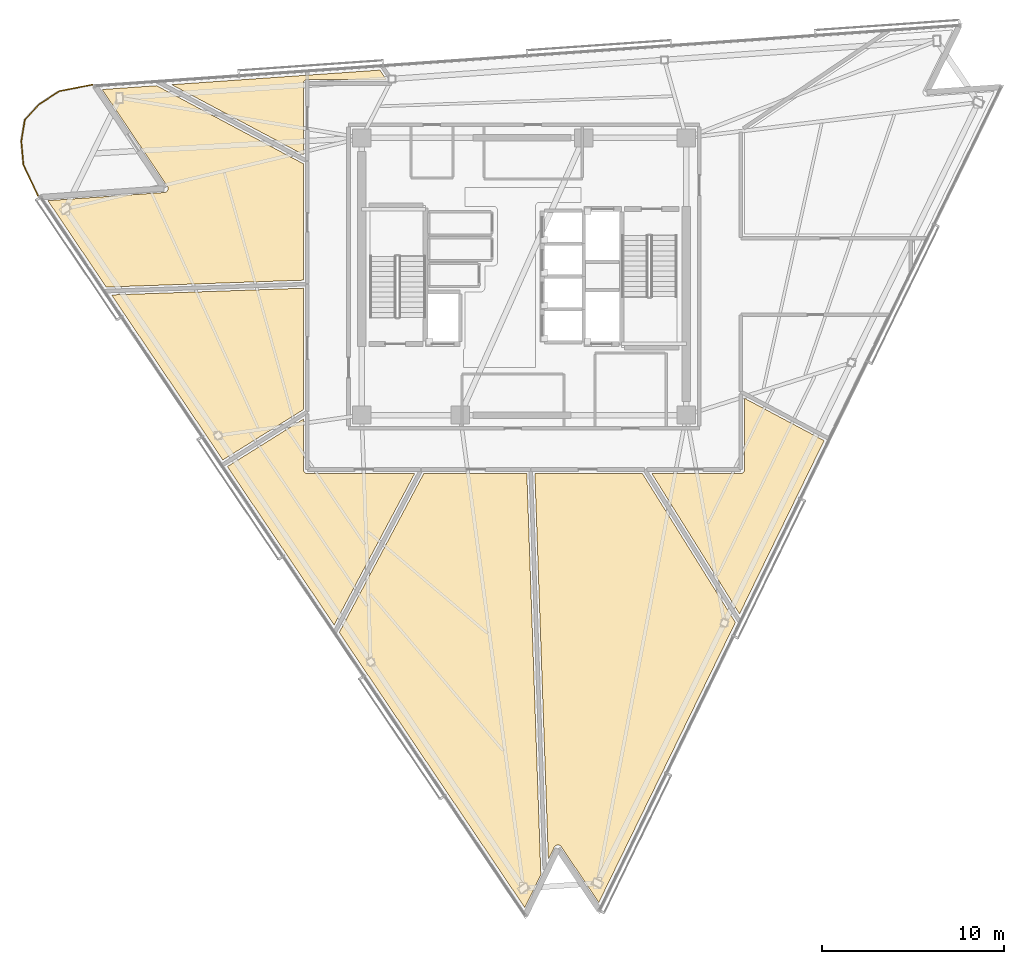
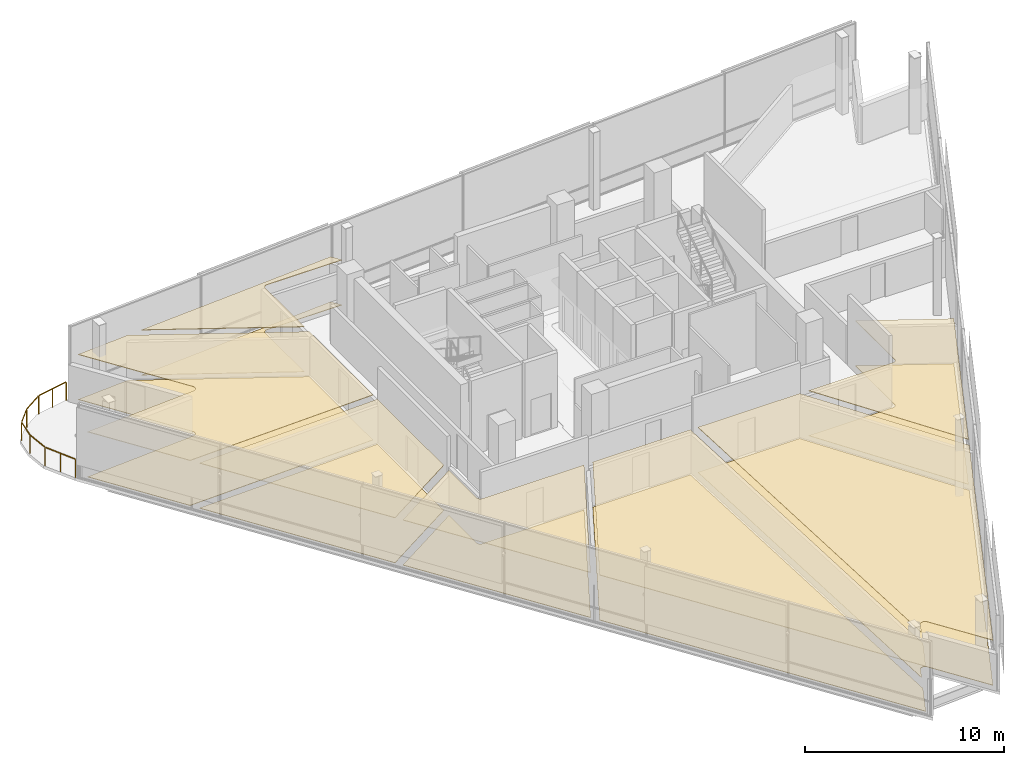
# One storey, part 14 of 16: 14 coverings, 1 railing.
"""IFC4 building model written with IfcOpenShell, lengths in metres."""

from ifc_helpers import new_model, si_unit, direction, frame, origin, origin_2d, place, context, subcontext, project, spatial, polyline, rectangle, outline, extrude, material, layer, layer_set, type_object, element, save


model = new_model("IFC4")

# Units and contexts
model_context = context("Model", 3, precision=1e-05, world=origin(), true_north=direction((0.0, 1.0)))
body_context = subcontext(model_context, "Body", "Model", "MODEL_VIEW")
ifc_project = project(units=[si_unit("LENGTHUNIT", "METRE"), si_unit("AREAUNIT", "SQUARE_METRE"), si_unit("VOLUMEUNIT", "CUBIC_METRE"), si_unit("PLANEANGLEUNIT", "RADIAN"), si_unit("MASSUNIT", "GRAM", prefix="KILO")], contexts=[model_context])

# Site, building, storey
site_placement = place(None, origin())
site = spatial("IfcSite", under=ifc_project, at=site_placement, CompositionType="ELEMENT")
building_placement = place(site_placement, origin())
building = spatial("IfcBuilding", under=site, at=building_placement, Name="Tharavind Bronze Gate", CompositionType="ELEMENT")
storey_placement = place(building_placement, frame((0.0, 0.0, 275.0)))
storey = spatial("IfcBuildingStorey", under=building, at=storey_placement, Name="L71", CompositionType="ELEMENT", Elevation=275.0)

# Coverings
ifc_material_1 = material(Name="Perforated Bronze Acoustic Panel", Category="bronze")
ifc_layer_1 = layer(ifc_material_1, 0.044921875)
ifc_layer_set_1 = layer_set([ifc_layer_1], Name="Perforated Bronze Acoustic Panel")
covering_type_1 = type_object("IfcCoveringType", Name="ACOUSTIC BRONZE BAFFLE CEILING", PredefinedType="CEILING", material=ifc_layer_set_1)
covering_1_placement = place(storey_placement, frame((0.0, 0.0, 2.75)))
element("IfcCovering", 1, at=covering_1_placement, inside=storey, type_object=covering_type_1, Name="L71-RM-02 suspended ceiling", PredefinedType="CEILING", context=body_context, shape_type="SweptSolid", body=[
    extrude(outline(polyline([(-12.10009765625, 6.682861328125), (-12.10009765625, 10.579345703125), (-12.099609375, 10.590087890625), (-12.099609375, 10.5908203125), (-12.09765625, 10.6123046875), (-12.093505859375, 10.63330078125), (-12.087158203125, 10.654052734375), (-12.078857421875, 10.674072265625), (-12.068603515625, 10.693115234375), (-12.056640625, 10.7109375), (-12.04296875, 10.727783203125), (-12.027587890625, 10.742919921875), (-12.010986328125, 10.756591796875), (-11.9931640625, 10.768798828125), (-11.97412109375, 10.77880859375), (-11.9541015625, 10.787109375), (-11.933349609375, 10.79345703125), (-11.912353515625, 10.797607421875), (-11.890869140625, 10.7998046875), (-11.89013671875, 10.7998046875), (-11.87939453125, 10.800048828125), (-7.550048828125, 10.800048828125), (-7.899658203125, 11.318115234375), (-19.31640625, 10.519775390625), (-12.10009765625, 6.682861328125)])), origin(), (0.0, 0.0, 1.0), 0.034912109375),
])
covering_2_placement = place(storey_placement, frame((0.0, 0.0, 2.75)))
element("IfcCovering", 2, at=covering_2_placement, inside=storey, type_object=covering_type_1, Name="L71-RM-04 suspended ceiling", PredefinedType="CEILING", context=body_context, shape_type="SweptSolid", body=[
    extrude(outline(polyline([(-16.512451171875, -10.05859375), (-12.10009765625, -7.301513671875), (-12.10009765625, -0.642578125), (-22.615966796875, -1.010009765625), (-16.512451171875, -10.05859375)])), origin(), (0.0, 0.0, 1.0), 0.034912109375),
])
ifc_material_2 = material(Name="Engineered Oak & Carpet Tile", Category="wood")
ifc_layer_2 = layer(ifc_material_2, 0.02490234375)
ifc_layer_set_2 = layer_set([ifc_layer_2], Name="Engineered Oak & Carpet Tile")
covering_type_2 = type_object("IfcCoveringType", Name="ENGINEERED TIMBER FLOORING", PredefinedType="FLOORING", material=ifc_layer_set_2)
covering_3_placement = place(storey_placement, origin())
element("IfcCovering", 3, at=covering_3_placement, inside=storey, type_object=covering_type_2, Name="L71-RM-02 floor finish", PredefinedType="FLOORING", context=body_context, shape_type="SweptSolid", body=[
    extrude(outline(polyline([(-12.10009765625, 6.682861328125), (-12.10009765625, 10.579345703125), (-12.099609375, 10.590087890625), (-12.099609375, 10.5908203125), (-12.09765625, 10.6123046875), (-12.093505859375, 10.63330078125), (-12.087158203125, 10.654052734375), (-12.078857421875, 10.674072265625), (-12.068603515625, 10.693115234375), (-12.056640625, 10.7109375), (-12.04296875, 10.727783203125), (-12.027587890625, 10.742919921875), (-12.010986328125, 10.756591796875), (-11.9931640625, 10.768798828125), (-11.97412109375, 10.77880859375), (-11.9541015625, 10.787109375), (-11.933349609375, 10.79345703125), (-11.912353515625, 10.797607421875), (-11.890869140625, 10.7998046875), (-11.89013671875, 10.7998046875), (-11.87939453125, 10.800048828125), (-7.550048828125, 10.800048828125), (-7.899658203125, 11.318115234375), (-19.31640625, 10.519775390625), (-12.10009765625, 6.682861328125)])), origin(), (0.0, 0.0, 1.0), 0.02490234375),
])
covering_4_placement = place(storey_placement, origin())
element("IfcCovering", 4, at=covering_4_placement, inside=storey, type_object=covering_type_2, Name="L71-RM-03 floor finish", PredefinedType="FLOORING", context=body_context, shape_type="SweptSolid", body=[
    extrude(outline(polyline([(-22.906005859375, -0.579833984375), (-12.10009765625, -0.202392578125), (-12.10009765625, 6.1845703125), (-20.14453125, 10.4619140625), (-23.13037109375, 10.253173828125), (-19.552490234375, 4.94873046875), (-19.546630859375, 4.939453125), (-19.54638671875, 4.93896484375), (-19.535888671875, 4.919677734375), (-19.52734375, 4.8994140625), (-19.52099609375, 4.87841796875), (-19.516845703125, 4.85693359375), (-19.514892578125, 4.835205078125), (-19.514892578125, 4.813232421875), (-19.51708984375, 4.79150390625), (-19.521484375, 4.77001953125), (-19.5283203125, 4.7490234375), (-19.536865234375, 4.728759765625), (-19.54736328125, 4.709716796875), (-19.559814453125, 4.69140625), (-19.573974609375, 4.6748046875), (-19.58984375, 4.65966796875), (-19.60693359375, 4.64599609375), (-19.62548828125, 4.63427734375), (-19.64501953125, 4.624267578125), (-19.66552734375, 4.6162109375), (-19.686767578125, 4.610595703125), (-19.708251953125, 4.606689453125), (-19.708984375, 4.606689453125), (-19.7197265625, 4.605712890625), (-26.1025390625, 4.1591796875), (-22.906005859375, -0.579833984375)])), origin(), (0.0, 0.0, 1.0), 0.02490234375),
])
covering_5_placement = place(storey_placement, origin())
element("IfcCovering", 5, at=covering_5_placement, inside=storey, type_object=covering_type_2, Name="L71-RM-04 floor finish", PredefinedType="FLOORING", context=body_context, shape_type="SweptSolid", body=[
    extrude(outline(polyline([(-16.512451171875, -10.05859375), (-12.10009765625, -7.301513671875), (-12.10009765625, -0.642578125), (-22.615966796875, -1.010009765625), (-16.512451171875, -10.05859375)])), origin(), (0.0, 0.0, 1.0), 0.02490234375),
])
covering_6_placement = place(storey_placement, origin())
element("IfcCovering", 6, at=covering_6_placement, inside=storey, type_object=covering_type_2, Name="L71-RM-05 floor finish", PredefinedType="FLOORING", context=body_context, shape_type="SweptSolid", body=[
    extrude(outline(polyline([(-10.408935546875, -19.107666015625), (-5.99169921875, -10.800048828125), (-11.87939453125, -10.800048828125), (-11.89013671875, -10.7998046875), (-11.890869140625, -10.7998046875), (-11.912353515625, -10.797607421875), (-11.933349609375, -10.79345703125), (-11.9541015625, -10.787109375), (-11.97412109375, -10.77880859375), (-11.9931640625, -10.768798828125), (-12.010986328125, -10.756591796875), (-12.027587890625, -10.742919921875), (-12.04296875, -10.727783203125), (-12.056640625, -10.7109375), (-12.068603515625, -10.693115234375), (-12.078857421875, -10.674072265625), (-12.087158203125, -10.654052734375), (-12.093505859375, -10.63330078125), (-12.09765625, -10.6123046875), (-12.099609375, -10.5908203125), (-12.099609375, -10.590087890625), (-12.10009765625, -10.579345703125), (-12.10009765625, -7.8203125), (-16.26611328125, -10.423583984375), (-10.408935546875, -19.107666015625)])), origin(), (0.0, 0.0, 1.0), 0.02490234375),
])
covering_7_placement = place(storey_placement, origin())
element("IfcCovering", 7, at=covering_7_placement, inside=storey, type_object=covering_type_2, Name="L71-RM-06 floor finish", PredefinedType="FLOORING", context=body_context, shape_type="SweptSolid", body=[
    extrude(outline(polyline([(0.045166015625, -34.6064453125), (0.92529296875, -32.802001953125), (0.156982421875, -10.800048828125), (-5.493408203125, -10.800048828125), (-10.130126953125, -19.520751953125), (0.045166015625, -34.6064453125)])), origin(), (0.0, 0.0, 1.0), 0.02490234375),
])
covering_8_placement = place(storey_placement, origin())
element("IfcCovering", 8, at=covering_8_placement, inside=storey, type_object=covering_type_2, Name="L71-RM-07 floor finish", PredefinedType="FLOORING", context=body_context, shape_type="SweptSolid", body=[
    extrude(outline(polyline([(1.336181640625, -31.959716796875), (1.6611328125, -31.293212890625), (1.666259765625, -31.283447265625), (1.66650390625, -31.282958984375), (1.677978515625, -31.264404296875), (1.69140625, -31.246826171875), (1.706298828125, -31.23095703125), (1.722900390625, -31.216552734375), (1.74072265625, -31.203857421875), (1.759765625, -31.19287109375), (1.77978515625, -31.18408203125), (1.80078125, -31.177001953125), (1.822021484375, -31.17236328125), (1.843994140625, -31.169677734375), (1.86572265625, -31.169189453125), (1.8876953125, -31.1708984375), (1.9091796875, -31.1748046875), (1.930419921875, -31.180908203125), (1.95068359375, -31.189208984375), (1.97021484375, -31.19921875), (1.988525390625, -31.211181640625), (2.005615234375, -31.224853515625), (2.021240234375, -31.240234375), (2.03515625, -31.257080078125), (2.03564453125, -31.2578125), (2.0419921875, -31.2666015625), (4.103271484375, -34.32275390625), (11.5927734375, -18.96728515625), (6.4892578125, -10.800048828125), (0.597412109375, -10.800048828125), (1.336181640625, -31.959716796875)])), origin(), (0.0, 0.0, 1.0), 0.02490234375),
])
covering_9_placement = place(storey_placement, origin())
element("IfcCovering", 9, at=covering_9_placement, inside=storey, type_object=covering_type_2, Name="L71-RM-08 floor finish", PredefinedType="FLOORING", context=body_context, shape_type="SweptSolid", body=[
    extrude(outline(polyline([(11.820068359375, -18.5009765625), (16.454833984375, -8.998291015625), (12.10009765625, -6.682861328125), (12.10009765625, -10.579345703125), (12.099609375, -10.590087890625), (12.099609375, -10.5908203125), (12.09765625, -10.6123046875), (12.093505859375, -10.63330078125), (12.087158203125, -10.654052734375), (12.078857421875, -10.674072265625), (12.068603515625, -10.693115234375), (12.056640625, -10.7109375), (12.04296875, -10.727783203125), (12.027587890625, -10.742919921875), (12.010986328125, -10.756591796875), (11.9931640625, -10.768798828125), (11.97412109375, -10.77880859375), (11.9541015625, -10.787109375), (11.933349609375, -10.79345703125), (11.912353515625, -10.797607421875), (11.890869140625, -10.7998046875), (11.89013671875, -10.7998046875), (11.87939453125, -10.800048828125), (7.008056640625, -10.800048828125), (11.820068359375, -18.5009765625)])), origin(), (0.0, 0.0, 1.0), 0.02490234375),
])
ifc_material_3 = material(Name="Acoustic Gypsum Board", Category="gypsum")
ifc_layer_3 = layer(ifc_material_3, 0.030029296875)
ifc_layer_set_3 = layer_set([ifc_layer_3], Name="Acoustic Gypsum Board")
covering_type_3 = type_object("IfcCoveringType", Name="GYPSUM SUSPENDED CEILING", PredefinedType="CEILING", material=ifc_layer_set_3)
covering_10_placement = place(storey_placement, frame((0.0, 0.0, 2.75)))
element("IfcCovering", 10, at=covering_10_placement, inside=storey, type_object=covering_type_3, Name="L71-RM-03 suspended ceiling", PredefinedType="CEILING", context=body_context, shape_type="SweptSolid", body=[
    extrude(outline(polyline([(-22.906005859375, -0.579833984375), (-12.10009765625, -0.202392578125), (-12.10009765625, 6.1845703125), (-20.14453125, 10.4619140625), (-23.13037109375, 10.253173828125), (-19.552490234375, 4.94873046875), (-19.546630859375, 4.939453125), (-19.54638671875, 4.93896484375), (-19.535888671875, 4.919677734375), (-19.52734375, 4.8994140625), (-19.52099609375, 4.87841796875), (-19.516845703125, 4.85693359375), (-19.514892578125, 4.835205078125), (-19.514892578125, 4.813232421875), (-19.51708984375, 4.79150390625), (-19.521484375, 4.77001953125), (-19.5283203125, 4.7490234375), (-19.536865234375, 4.728759765625), (-19.54736328125, 4.709716796875), (-19.559814453125, 4.69140625), (-19.573974609375, 4.6748046875), (-19.58984375, 4.65966796875), (-19.60693359375, 4.64599609375), (-19.62548828125, 4.63427734375), (-19.64501953125, 4.624267578125), (-19.66552734375, 4.6162109375), (-19.686767578125, 4.610595703125), (-19.708251953125, 4.606689453125), (-19.708984375, 4.606689453125), (-19.7197265625, 4.605712890625), (-26.1025390625, 4.1591796875), (-22.906005859375, -0.579833984375)])), origin(), (0.0, 0.0, 1.0), 0.034912109375),
])
covering_11_placement = place(storey_placement, frame((0.0, 0.0, 2.75)))
element("IfcCovering", 11, at=covering_11_placement, inside=storey, type_object=covering_type_3, Name="L71-RM-05 suspended ceiling", PredefinedType="CEILING", context=body_context, shape_type="SweptSolid", body=[
    extrude(outline(polyline([(-10.408935546875, -19.107666015625), (-5.99169921875, -10.800048828125), (-11.87939453125, -10.800048828125), (-11.89013671875, -10.7998046875), (-11.890869140625, -10.7998046875), (-11.912353515625, -10.797607421875), (-11.933349609375, -10.79345703125), (-11.9541015625, -10.787109375), (-11.97412109375, -10.77880859375), (-11.9931640625, -10.768798828125), (-12.010986328125, -10.756591796875), (-12.027587890625, -10.742919921875), (-12.04296875, -10.727783203125), (-12.056640625, -10.7109375), (-12.068603515625, -10.693115234375), (-12.078857421875, -10.674072265625), (-12.087158203125, -10.654052734375), (-12.093505859375, -10.63330078125), (-12.09765625, -10.6123046875), (-12.099609375, -10.5908203125), (-12.099609375, -10.590087890625), (-12.10009765625, -10.579345703125), (-12.10009765625, -7.8203125), (-16.26611328125, -10.423583984375), (-10.408935546875, -19.107666015625)])), origin(), (0.0, 0.0, 1.0), 0.034912109375),
])
covering_12_placement = place(storey_placement, frame((0.0, 0.0, 2.75)))
element("IfcCovering", 12, at=covering_12_placement, inside=storey, type_object=covering_type_3, Name="L71-RM-06 suspended ceiling", PredefinedType="CEILING", context=body_context, shape_type="SweptSolid", body=[
    extrude(outline(polyline([(0.045166015625, -34.6064453125), (0.92529296875, -32.802001953125), (0.156982421875, -10.800048828125), (-5.493408203125, -10.800048828125), (-10.130126953125, -19.520751953125), (0.045166015625, -34.6064453125)])), origin(), (0.0, 0.0, 1.0), 0.034912109375),
])
covering_13_placement = place(storey_placement, frame((0.0, 0.0, 2.75)))
element("IfcCovering", 13, at=covering_13_placement, inside=storey, type_object=covering_type_3, Name="L71-RM-07 suspended ceiling", PredefinedType="CEILING", context=body_context, shape_type="SweptSolid", body=[
    extrude(outline(polyline([(1.336181640625, -31.959716796875), (1.6611328125, -31.293212890625), (1.666259765625, -31.283447265625), (1.66650390625, -31.282958984375), (1.677978515625, -31.264404296875), (1.69140625, -31.246826171875), (1.706298828125, -31.23095703125), (1.722900390625, -31.216552734375), (1.74072265625, -31.203857421875), (1.759765625, -31.19287109375), (1.77978515625, -31.18408203125), (1.80078125, -31.177001953125), (1.822021484375, -31.17236328125), (1.843994140625, -31.169677734375), (1.86572265625, -31.169189453125), (1.8876953125, -31.1708984375), (1.9091796875, -31.1748046875), (1.930419921875, -31.180908203125), (1.95068359375, -31.189208984375), (1.97021484375, -31.19921875), (1.988525390625, -31.211181640625), (2.005615234375, -31.224853515625), (2.021240234375, -31.240234375), (2.03515625, -31.257080078125), (2.03564453125, -31.2578125), (2.0419921875, -31.2666015625), (4.103271484375, -34.32275390625), (11.5927734375, -18.96728515625), (6.4892578125, -10.800048828125), (0.597412109375, -10.800048828125), (1.336181640625, -31.959716796875)])), origin(), (0.0, 0.0, 1.0), 0.034912109375),
])
covering_14_placement = place(storey_placement, frame((0.0, 0.0, 2.75)))
element("IfcCovering", 14, at=covering_14_placement, inside=storey, type_object=covering_type_3, Name="L71-RM-08 suspended ceiling", PredefinedType="CEILING", context=body_context, shape_type="SweptSolid", body=[
    extrude(outline(polyline([(11.820068359375, -18.5009765625), (16.454833984375, -8.998291015625), (12.10009765625, -6.682861328125), (12.10009765625, -10.579345703125), (12.099609375, -10.590087890625), (12.099609375, -10.5908203125), (12.09765625, -10.6123046875), (12.093505859375, -10.63330078125), (12.087158203125, -10.654052734375), (12.078857421875, -10.674072265625), (12.068603515625, -10.693115234375), (12.056640625, -10.7109375), (12.04296875, -10.727783203125), (12.027587890625, -10.742919921875), (12.010986328125, -10.756591796875), (11.9931640625, -10.768798828125), (11.97412109375, -10.77880859375), (11.9541015625, -10.787109375), (11.933349609375, -10.79345703125), (11.912353515625, -10.797607421875), (11.890869140625, -10.7998046875), (11.89013671875, -10.7998046875), (11.87939453125, -10.800048828125), (7.008056640625, -10.800048828125), (11.820068359375, -18.5009765625)])), origin(), (0.0, 0.0, 1.0), 0.034912109375),
])

# Railing
ifc_material_4 = material(Name="Bronze Cap & Laminated Glass", Category="glass")
railing_type = type_object("IfcRailingType", Name="TERRACE GLASS GUARD RAILING 1150", PredefinedType="GUARDRAIL", material=ifc_material_4)
railing_placement = place(storey_placement, frame((-26.641845703125, 4.42236328125, 0.0)))
element("IfcRailing", 15, at=railing_placement, inside=storey, type_object=railing_type, Name="L71 tree balcony guard railing", PredefinedType="GUARDRAIL", context=body_context, shape_type="SweptSolid", body=[
    extrude(rectangle(XDim=0.048095703125, YDim=0.048095703125, at=origin_2d()), frame((-0.013671875, 0.02880859375, 1.1259765625), z_axis=(-0.430751391527, 0.902470630379, 0.0), x_axis=(-0.902470630379, -0.430751391527, 0.0)), (0.0, 0.0, 1.0), 1.80126953125),
    extrude(rectangle(XDim=0.048095703125, YDim=0.048095703125, at=origin_2d()), frame((-0.806396484375, 1.71533203125, 1.1259765625), z_axis=(-0.089334965903, 0.996001638486, 0.0), x_axis=(-0.996001638486, -0.089334965903, 0.0)), (0.0, 0.0, 1.0), 1.255859375),
    extrude(rectangle(XDim=0.048095703125, YDim=0.048095703125, at=origin_2d()), frame((-0.916259765625, 3.029541015625, 1.1259765625), z_axis=(0.162720183317, 0.986672256599, 0.0), x_axis=(-0.986672256599, 0.162720183317, 0.0)), (0.0, 0.0, 1.0), 1.115234375),
    extrude(rectangle(XDim=0.048095703125, YDim=0.048095703125, at=origin_2d()), frame((-0.707763671875, 4.18505859375, 1.1259765625), z_axis=(0.677316588689, 0.735691673656, 0.0), x_axis=(-0.735691673656, 0.677316588689, 0.0)), (0.0, 0.0, 1.0), 1.115478515625),
    extrude(rectangle(XDim=0.048095703125, YDim=0.048095703125, at=origin_2d()), frame((0.09619140625, 5.046630859375, 1.1259765625), z_axis=(0.839847920102, 0.542821767342, 0.0), x_axis=(-0.542821767342, 0.839847920102, 0.0)), (0.0, 0.0, 1.0), 1.256103515625),
    extrude(rectangle(XDim=0.048095703125, YDim=0.048095703125, at=origin_2d()), frame((1.20947265625, 5.751953125, 1.1259765625), z_axis=(0.98171467538, 0.190358336157, 0.0), x_axis=(-0.190358336157, 0.98171467538, 0.0)), (0.0, 0.0, 1.0), 1.763671875),
    extrude(rectangle(XDim=0.0400390625, YDim=0.0400390625, at=origin_2d()), origin(), (0.0, 0.0, 1.0), 1.097900390625),
    extrude(rectangle(XDim=0.0400390625, YDim=0.0400390625, at=origin_2d()), frame((-0.40185546875, 0.841796875, 0.0)), (0.0, 0.0, 1.0), 1.097900390625),
    extrude(rectangle(XDim=0.0400390625, YDim=0.0400390625, at=origin_2d()), frame((-0.803466796875, 1.683349609375, 0.0)), (0.0, 0.0, 1.0), 1.097900390625),
    extrude(rectangle(XDim=0.0400390625, YDim=0.0400390625, at=origin_2d()), frame((-0.92138671875, 2.998046875, 0.0)), (0.0, 0.0, 1.0), 1.097900390625),
    extrude(rectangle(XDim=0.0400390625, YDim=0.0400390625, at=origin_2d()), frame((-0.7294921875, 4.16162109375, 0.0)), (0.0, 0.0, 1.0), 1.097900390625),
    extrude(rectangle(XDim=0.0400390625, YDim=0.0400390625, at=origin_2d()), frame((0.0693359375, 5.029296875, 0.0)), (0.0, 0.0, 1.0), 1.097900390625),
    extrude(rectangle(XDim=0.0400390625, YDim=0.0400390625, at=origin_2d()), frame((1.177978515625, 5.745849609375, 0.0)), (0.0, 0.0, 1.0), 1.097900390625),
    extrude(rectangle(XDim=0.0400390625, YDim=0.0400390625, at=origin_2d()), frame((2.0751953125, 5.919921875, 0.0)), (0.0, 0.0, 1.0), 1.097900390625),
    extrude(rectangle(XDim=0.0400390625, YDim=0.0400390625, at=origin_2d()), frame((2.97216796875, 6.09375, 0.0)), (0.0, 0.0, 1.0), 1.097900390625),
])

save(model, "model.ifc")
